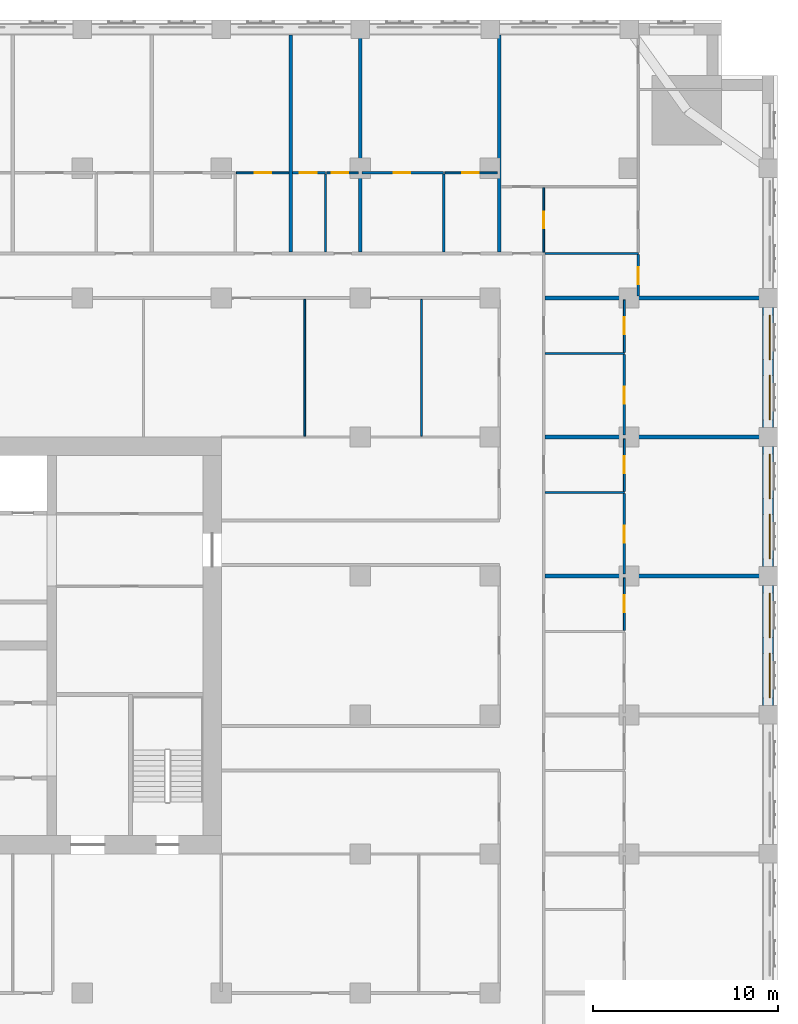
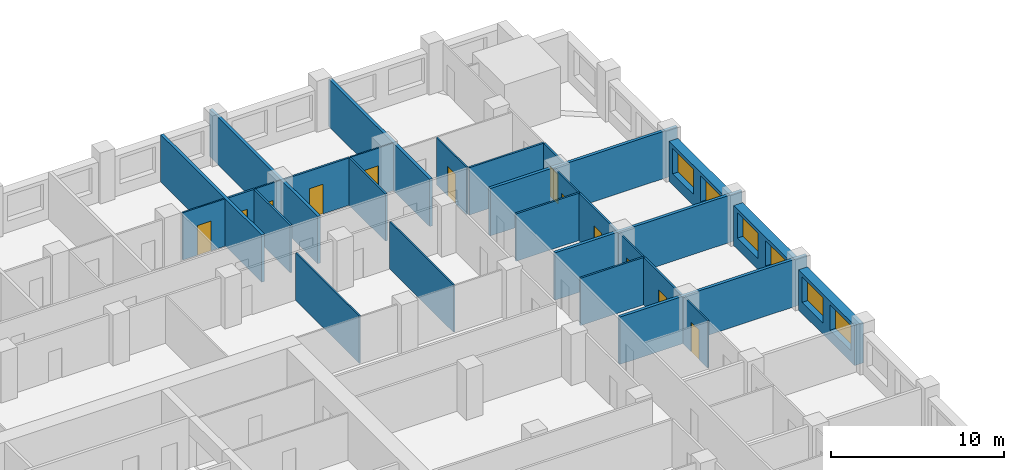
# One storey, part 10 of 14: 28 walls, 12 doors, 6 windows, 18 openings.
"""IFC4 building model written with IfcOpenShell, lengths in metres."""

import ifcopenshell
import ifcopenshell.guid

model = None  # the IFC model being written
_history = None  # IfcOwnerHistory: only IFC2X3 demands one
_inside = {}  # id of a spatial element -> (the spatial element, [elements in it])
_under = {}  # id of a project, library or spatial element -> (it, [spatial elements below it])
_declared = {}  # id of a project -> (the project, [libraries it declares])
_typed = {}  # id of a type object -> (the type object, [elements of that type])
_made_of = {}  # id of a material, layer set ... -> (it, [elements and type objects made of it])


def new_model(schema):
    """Start an empty IFC model of exactly this schema.

    Asked for "IFC4X3", IfcOpenShell would pick the latest addendum, in which some entities
    have other attributes; the version numbers below select the first issue.
    IFC2X3 requires an IfcOwnerHistory on every rooted entity: one is made here for all.
    """
    global model, _history
    if schema == "IFC4X3":
        model = ifcopenshell.file(schema_version=(4, 3, 0, 0))
    else:
        model = ifcopenshell.file(schema=schema)
    _inside.clear()
    _under.clear()
    _declared.clear()
    _typed.clear()
    _made_of.clear()
    _history = None
    if model.schema == "IFC2X3":
        org = make("IfcOrganization", Name="unknown")
        user = make(
            "IfcPersonAndOrganization",
            ThePerson=make("IfcPerson", FamilyName="unknown"),
            TheOrganization=org,
        )
        app = make(
            "IfcApplication",
            ApplicationDeveloper=org,
            Version="unknown",
            ApplicationFullName="unknown",
            ApplicationIdentifier="unknown",
        )
        _history = make(
            "IfcOwnerHistory",
            OwningUser=user,
            OwningApplication=app,
            ChangeAction="ADDED",
            CreationDate=0,
        )
    return model


def make(cls, **values):
    """One entity of the class cls with the attributes given. An attribute that is None is left unset."""
    return model.create_entity(
        cls, **{name: value for name, value in values.items() if value is not None}
    )


def rooted(cls, **values):
    """An entity with a GlobalId (a new one), such as an element, a storey or a relation."""
    return make(cls, GlobalId=ifcopenshell.guid.new(), OwnerHistory=_history, **values)


def si_unit(unit_type, name, prefix=None):
    """IfcSIUnit, for example si_unit("LENGTHUNIT", "METRE", prefix="MILLI")."""
    return make("IfcSIUnit", UnitType=unit_type, Prefix=prefix, Name=name)


def assignment(units):
    """IfcUnitAssignment: the units of a project."""
    return None if units is None else make("IfcUnitAssignment", Units=units)


def point(xyz):
    """IfcCartesianPoint."""
    return None if xyz is None else make("IfcCartesianPoint", Coordinates=xyz)


def direction(xyz):
    """IfcDirection."""
    return None if xyz is None else make("IfcDirection", DirectionRatios=xyz)


def frame(location, z_axis=None, x_axis=None):
    """IfcAxis2Placement3D, a coordinate frame: its origin and axes. An axis left out is left unset."""
    return make(
        "IfcAxis2Placement3D",
        Location=point(location),
        Axis=direction(z_axis),
        RefDirection=direction(x_axis),
    )


def frame_2d(location, x_axis=None):
    """IfcAxis2Placement2D, a coordinate frame in the plane: its origin and x axis."""
    return make(
        "IfcAxis2Placement2D", Location=point(location), RefDirection=direction(x_axis)
    )


def origin():
    """The frame at (0, 0, 0) with its axes left unset."""
    return frame((0.0, 0.0, 0.0))


def place(relative_to, where):
    """IfcLocalPlacement: puts the frame where relative to a parent placement (None: the world)."""
    return make(
        "IfcLocalPlacement", PlacementRelTo=relative_to, RelativePlacement=where
    )


def context(
    kind, dimensions, precision=None, world=None, true_north=None, identifier=None
):
    """IfcGeometricRepresentationContext, for example the 3D "Model" context."""
    return make(
        "IfcGeometricRepresentationContext",
        ContextIdentifier=identifier,
        ContextType=kind,
        CoordinateSpaceDimension=dimensions,
        Precision=precision,
        WorldCoordinateSystem=world,
        TrueNorth=true_north,
    )


def subcontext(parent, identifier, kind, view, scale=None):
    """IfcGeometricRepresentationSubContext, for example "Body" below "Model"."""
    return make(
        "IfcGeometricRepresentationSubContext",
        ContextIdentifier=identifier,
        ContextType=kind,
        ParentContext=parent,
        TargetScale=scale,
        TargetView=view,
    )


def project(units=None, contexts=None):
    """IfcProject with its units and contexts."""
    return rooted(
        "IfcProject",
        Name="project",
        RepresentationContexts=contexts,
        UnitsInContext=assignment(units),
    )


def spatial(cls, under=None, at=None, **own):
    """A site, building, storey or space (cls), placed at a placement, below another one or the project."""
    s = rooted(cls, ObjectPlacement=at, **own)
    if under is not None:
        _under.setdefault(under.id(), (under, []))[1].append(s)
    return s


def profile(cls, at=None, kind="AREA", **sizes):
    """A parametric profile (cls). Its sizes go by their IFC names, for example OverallWidth=200.0."""
    return make(cls, ProfileType=kind, Position=at, **sizes)


def rectangle(**sizes):
    """IfcRectangleProfileDef."""
    return profile("IfcRectangleProfileDef", **sizes)


def extrude(swept, where, along, depth):
    """IfcExtrudedAreaSolid: the profile swept, set in the frame where, extruded along a direction by depth."""
    return make(
        "IfcExtrudedAreaSolid",
        SweptArea=swept,
        Position=where,
        ExtrudedDirection=direction(along),
        Depth=depth,
    )


def shape(context_of_items, identifier, shape_type, items):
    """IfcShapeRepresentation: the items that make up one representation, for example the "Body"."""
    return make(
        "IfcShapeRepresentation",
        ContextOfItems=context_of_items,
        RepresentationIdentifier=identifier,
        RepresentationType=shape_type,
        Items=items,
    )


def material(Name=None, Category=None):
    """IfcMaterial."""
    return make("IfcMaterial", Name=Name, Category=Category)


def layer(
    of_material, thickness, ventilated=None, Name=None, Category=None, Priority=None
):
    """IfcMaterialLayer: one layer of a wall or slab, of a material (None: an air gap)."""
    return make(
        "IfcMaterialLayer",
        Material=of_material,
        LayerThickness=thickness,
        IsVentilated=ventilated,
        Name=Name,
        Category=Category,
        Priority=Priority,
    )


def layer_set(layers, Name=None):
    """IfcMaterialLayerSet."""
    return make("IfcMaterialLayerSet", MaterialLayers=layers, LayerSetName=Name)


def made_of(thing, what):
    """Note that an element or type object is made of a material, layer set ...; save() writes the relation."""
    if what is not None:
        _made_of.setdefault(what.id(), (what, []))[1].append(thing)
    return thing


def type_object(cls, material=None, **own):
    """A type object (cls), such as IfcWallType, which elements share."""
    return made_of(rooted(cls, **own), material)


def element(
    cls,
    number,
    at=None,
    inside=None,
    cuts=None,
    type_object=None,
    material=None,
    context=None,
    identifier="Body",
    shape_type=None,
    held_by="IfcProductDefinitionShape",
    body=None,
    shapes=None,
    **own,
):
    """One element of the class cls, such as IfcWall. Its Tag is "e" and its number.

    at: its placement. inside: the storey or other place that contains it. cuts: it is an
    opening in that element (IfcRelVoidsElement). A single representation is given by context,
    identifier, shape_type and body (its items); several are given by shapes. held_by: the class
    of the entity that holds the representations. save() writes the other relations.
    """
    e = rooted(cls, Tag="e%d" % number, ObjectPlacement=at, **own)
    if body is not None:
        shapes = [shape(context, identifier, shape_type, body)]
    if shapes is not None:
        e.Representation = make(held_by, Representations=shapes)
    if inside is not None:
        _inside.setdefault(inside.id(), (inside, []))[1].append(e)
    if cuts is not None:
        rooted(
            "IfcRelVoidsElement", RelatingBuildingElement=cuts, RelatedOpeningElement=e
        )
    if type_object is not None:
        _typed.setdefault(type_object.id(), (type_object, []))[1].append(e)
    return made_of(e, material)


def fill(opening, filler):
    """IfcRelFillsElement: the door or window that sits in an opening."""
    return rooted(
        "IfcRelFillsElement",
        RelatingOpeningElement=opening,
        RelatedBuildingElement=filler,
    )


def aggregate(whole, parts):
    """IfcRelAggregates: a whole, such as a stair, and the parts it consists of."""
    return rooted("IfcRelAggregates", RelatingObject=whole, RelatedObjects=parts)


def save(model, path):
    """Write the relations noted so far, then the file.

    IfcRelAggregates (storeys below a building ...), IfcRelContainedInSpatialStructure (elements
    in a storey), IfcRelDefinesByType, IfcRelAssociatesMaterial and IfcRelDeclares: one each for
    every whole, place, type object, material and project.
    """
    for whole, parts in _under.values():
        aggregate(whole, parts)
    for where, things in _inside.values():
        rooted(
            "IfcRelContainedInSpatialStructure",
            RelatedElements=things,
            RelatingStructure=where,
        )
    for kind, things in _typed.values():
        rooted("IfcRelDefinesByType", RelatedObjects=things, RelatingType=kind)
    for what, things in _made_of.values():
        rooted("IfcRelAssociatesMaterial", RelatedObjects=things, RelatingMaterial=what)
    for by, libraries in _declared.values():
        rooted("IfcRelDeclares", RelatingContext=by, RelatedDefinitions=libraries)
    model.write(path)


model = new_model("IFC4")

# Units and contexts
model_context = context("Model", 3, precision=1e-05, world=origin(), true_north=direction((0.0, 1.0)))
body_context = subcontext(model_context, "Body", "Model", "MODEL_VIEW")
ifc_project = project(units=[si_unit("LENGTHUNIT", "METRE"), si_unit("AREAUNIT", "SQUARE_METRE"), si_unit("VOLUMEUNIT", "CUBIC_METRE"), si_unit("PLANEANGLEUNIT", "RADIAN"), si_unit("MASSUNIT", "GRAM", prefix="KILO")], contexts=[model_context])

# Site, building, storey
site_placement = place(None, origin())
site = spatial("IfcSite", under=ifc_project, at=site_placement, CompositionType="ELEMENT")
building_placement = place(site_placement, origin())
building = spatial("IfcBuilding", under=site, at=building_placement, Name="Tamorin Gate", CompositionType="ELEMENT")
storey_placement = place(building_placement, frame((0.0, 0.0, 86.300048828125)))
storey = spatial("IfcBuildingStorey", under=building, at=storey_placement, Name="L20", CompositionType="ELEMENT", Elevation=86.300048828125)

# Wall, openings, windows
ifc_material_1 = material(Name="Precast concrete C40/50", Category="concrete")
ifc_layer_1 = layer(ifc_material_1, 0.60009765625)
ifc_layer_set_1 = layer_set([ifc_layer_1], Name="Precast concrete C40/50")
wall_type_1 = type_object("IfcWallType", Name="Board-marked concrete facade panel 600", PredefinedType="SOLIDWALL", material=ifc_layer_set_1)
wall_1_placement = place(storey_placement, frame((89.5, 68.0, 0.0), z_axis=(0.0, 0.0, 1.0), x_axis=(0.0, 1.0, 0.0)))
wall_1 = element("IfcWall", 1, at=wall_1_placement, inside=storey, type_object=wall_type_1, Name="Facade panel", PredefinedType="SOLIDWALL", context=body_context, shape_type="SweptSolid", body=[
    extrude(rectangle(XDim=6.5, YDim=0.60009765625, at=frame_2d((3.25, 0.0))), origin(), (0.0, 0.0, 1.0), 2.849853515625),
])
opening_1_placement = place(wall_1_placement, frame((0.425048828125, 0.0, 0.800048828125)))
opening_1 = element("IfcOpeningElement", 2, at=opening_1_placement, cuts=wall_1, Name="Opening WN1", PredefinedType="OPENING", context=body_context, shape_type="SweptSolid", body=[
    extrude(rectangle(XDim=2.39990234375, YDim=1.800048828125, at=frame_2d((1.199951171875, 0.89990234375))), frame((0.0, 0.31005859375, 0.0), z_axis=(0.0, -1.0, 0.0), x_axis=(1.0, 0.0, 0.0)), (0.0, 0.0, 1.0), 0.6201171875),
])
opening_2_placement = place(wall_1_placement, frame((3.675048828125, 0.0, 0.800048828125)))
opening_2 = element("IfcOpeningElement", 3, at=opening_2_placement, cuts=wall_1, Name="Opening WN1", PredefinedType="OPENING", context=body_context, shape_type="SweptSolid", body=[
    extrude(rectangle(XDim=2.39990234375, YDim=1.800048828125, at=frame_2d((1.199951171875, 0.89990234375))), frame((0.0, 0.31005859375, 0.0), z_axis=(0.0, -1.0, 0.0), x_axis=(1.0, 0.0, 0.0)), (0.0, 0.0, 1.0), 0.6201171875),
])
ifc_material_2 = material(Name="Clear glass in aluminium frame", Category="aluminium")
window_type = type_object("IfcWindowType", Name="Deep-set window 2400x1800", PartitioningType="SINGLE_PANEL", PredefinedType="WINDOW", material=ifc_material_2)
window_1_placement = place(opening_1_placement, origin())
window_1 = element("IfcWindow", 4, at=window_1_placement, inside=storey, type_object=window_type, Name="Deep-set window", OverallHeight=1.800048828125, OverallWidth=2.39990234375, PartitioningType="SINGLE_PANEL", PredefinedType="WINDOW", context=body_context, shape_type="SweptSolid", body=[
    extrude(rectangle(XDim=2.39990234375, YDim=1.800048828125, at=frame_2d((1.199951171875, 0.89990234375))), frame((0.0, -0.070068359375, 0.0), z_axis=(0.0, -1.0, 0.0), x_axis=(1.0, 0.0, 0.0)), (0.0, 0.0, 1.0), 0.06005859375),
])
fill(opening_1, window_1)
window_2_placement = place(opening_2_placement, origin())
window_2 = element("IfcWindow", 5, at=window_2_placement, inside=storey, type_object=window_type, Name="Deep-set window", OverallHeight=1.800048828125, OverallWidth=2.39990234375, PartitioningType="SINGLE_PANEL", PredefinedType="WINDOW", context=body_context, shape_type="SweptSolid", body=[
    extrude(rectangle(XDim=2.39990234375, YDim=1.800048828125, at=frame_2d((1.199951171875, 0.89990234375))), frame((0.0, -0.070068359375, 0.0), z_axis=(0.0, -1.0, 0.0), x_axis=(1.0, 0.0, 0.0)), (0.0, 0.0, 1.0), 0.06005859375),
])
fill(opening_2, window_2)

wall_2_placement = place(storey_placement, frame((89.5, 75.5, 0.0), z_axis=(0.0, 0.0, 1.0), x_axis=(0.0, 1.0, 0.0)))
wall_2 = element("IfcWall", 6, at=wall_2_placement, inside=storey, type_object=wall_type_1, Name="Facade panel", PredefinedType="SOLIDWALL", context=body_context, shape_type="SweptSolid", body=[
    extrude(rectangle(XDim=6.5, YDim=0.60009765625, at=frame_2d((3.25, 0.0))), origin(), (0.0, 0.0, 1.0), 2.849853515625),
])
opening_3_placement = place(wall_2_placement, frame((0.425048828125, 0.0, 0.800048828125)))
opening_3 = element("IfcOpeningElement", 7, at=opening_3_placement, cuts=wall_2, Name="Opening WN1", PredefinedType="OPENING", context=body_context, shape_type="SweptSolid", body=[
    extrude(rectangle(XDim=2.39990234375, YDim=1.800048828125, at=frame_2d((1.199951171875, 0.89990234375))), frame((0.0, 0.31005859375, 0.0), z_axis=(0.0, -1.0, 0.0), x_axis=(1.0, 0.0, 0.0)), (0.0, 0.0, 1.0), 0.6201171875),
])
opening_4_placement = place(wall_2_placement, frame((3.675048828125, 0.0, 0.800048828125)))
opening_4 = element("IfcOpeningElement", 8, at=opening_4_placement, cuts=wall_2, Name="Opening WN1", PredefinedType="OPENING", context=body_context, shape_type="SweptSolid", body=[
    extrude(rectangle(XDim=2.39990234375, YDim=1.800048828125, at=frame_2d((1.199951171875, 0.89990234375))), frame((0.0, 0.31005859375, 0.0), z_axis=(0.0, -1.0, 0.0), x_axis=(1.0, 0.0, 0.0)), (0.0, 0.0, 1.0), 0.6201171875),
])
window_3_placement = place(opening_3_placement, origin())
window_3 = element("IfcWindow", 9, at=window_3_placement, inside=storey, type_object=window_type, Name="Deep-set window", OverallHeight=1.800048828125, OverallWidth=2.39990234375, PartitioningType="SINGLE_PANEL", PredefinedType="WINDOW", context=body_context, shape_type="SweptSolid", body=[
    extrude(rectangle(XDim=2.39990234375, YDim=1.800048828125, at=frame_2d((1.199951171875, 0.89990234375))), frame((0.0, -0.070068359375, 0.0), z_axis=(0.0, -1.0, 0.0), x_axis=(1.0, 0.0, 0.0)), (0.0, 0.0, 1.0), 0.06005859375),
])
fill(opening_3, window_3)
window_4_placement = place(opening_4_placement, origin())
window_4 = element("IfcWindow", 10, at=window_4_placement, inside=storey, type_object=window_type, Name="Deep-set window", OverallHeight=1.800048828125, OverallWidth=2.39990234375, PartitioningType="SINGLE_PANEL", PredefinedType="WINDOW", context=body_context, shape_type="SweptSolid", body=[
    extrude(rectangle(XDim=2.39990234375, YDim=1.800048828125, at=frame_2d((1.199951171875, 0.89990234375))), frame((0.0, -0.070068359375, 0.0), z_axis=(0.0, -1.0, 0.0), x_axis=(1.0, 0.0, 0.0)), (0.0, 0.0, 1.0), 0.06005859375),
])
fill(opening_4, window_4)

wall_3_placement = place(storey_placement, frame((89.5, 83.0, 0.0), z_axis=(0.0, 0.0, 1.0), x_axis=(0.0, 1.0, 0.0)))
wall_3 = element("IfcWall", 11, at=wall_3_placement, inside=storey, type_object=wall_type_1, Name="Facade panel", PredefinedType="SOLIDWALL", context=body_context, shape_type="SweptSolid", body=[
    extrude(rectangle(XDim=6.5, YDim=0.60009765625, at=frame_2d((3.25, 0.0))), origin(), (0.0, 0.0, 1.0), 2.849853515625),
])
opening_5_placement = place(wall_3_placement, frame((0.425048828125, 0.0, 0.800048828125)))
opening_5 = element("IfcOpeningElement", 12, at=opening_5_placement, cuts=wall_3, Name="Opening WN1", PredefinedType="OPENING", context=body_context, shape_type="SweptSolid", body=[
    extrude(rectangle(XDim=2.39990234375, YDim=1.800048828125, at=frame_2d((1.199951171875, 0.89990234375))), frame((0.0, 0.31005859375, 0.0), z_axis=(0.0, -1.0, 0.0), x_axis=(1.0, 0.0, 0.0)), (0.0, 0.0, 1.0), 0.6201171875),
])
opening_6_placement = place(wall_3_placement, frame((3.675048828125, 0.0, 0.800048828125)))
opening_6 = element("IfcOpeningElement", 13, at=opening_6_placement, cuts=wall_3, Name="Opening WN1", PredefinedType="OPENING", context=body_context, shape_type="SweptSolid", body=[
    extrude(rectangle(XDim=2.39990234375, YDim=1.800048828125, at=frame_2d((1.199951171875, 0.89990234375))), frame((0.0, 0.31005859375, 0.0), z_axis=(0.0, -1.0, 0.0), x_axis=(1.0, 0.0, 0.0)), (0.0, 0.0, 1.0), 0.6201171875),
])
window_5_placement = place(opening_5_placement, origin())
window_5 = element("IfcWindow", 14, at=window_5_placement, inside=storey, type_object=window_type, Name="Deep-set window", OverallHeight=1.800048828125, OverallWidth=2.39990234375, PartitioningType="SINGLE_PANEL", PredefinedType="WINDOW", context=body_context, shape_type="SweptSolid", body=[
    extrude(rectangle(XDim=2.39990234375, YDim=1.800048828125, at=frame_2d((1.199951171875, 0.89990234375))), frame((0.0, -0.070068359375, 0.0), z_axis=(0.0, -1.0, 0.0), x_axis=(1.0, 0.0, 0.0)), (0.0, 0.0, 1.0), 0.06005859375),
])
fill(opening_5, window_5)
window_6_placement = place(opening_6_placement, origin())
window_6 = element("IfcWindow", 15, at=window_6_placement, inside=storey, type_object=window_type, Name="Deep-set window", OverallHeight=1.800048828125, OverallWidth=2.39990234375, PartitioningType="SINGLE_PANEL", PredefinedType="WINDOW", context=body_context, shape_type="SweptSolid", body=[
    extrude(rectangle(XDim=2.39990234375, YDim=1.800048828125, at=frame_2d((1.199951171875, 0.89990234375))), frame((0.0, -0.070068359375, 0.0), z_axis=(0.0, -1.0, 0.0), x_axis=(1.0, 0.0, 0.0)), (0.0, 0.0, 1.0), 0.06005859375),
])
fill(opening_6, window_6)

# Walls
ifc_material_3 = material(Name="Gypsum board partition")
ifc_layer_2 = layer(ifc_material_3, 0.199951171875)
ifc_layer_set_2 = layer_set([ifc_layer_2], Name="Demising wall 200")
wall_type_2 = type_object("IfcWallType", Name="Demising wall 200", PredefinedType="PARTITIONING", material=ifc_layer_set_2)
for number, where, z_axis, x_axis, name in (
    (16, (77.47509765625, 75.0, 0.0), (0.0, 0.0, 1.0), (1.0, 0.0, 0.0), "Demising wall 200"),
    (17, (77.47509765625, 82.5, 0.0), (0.0, 0.0, 1.0), (1.0, 0.0, 0.0), "Demising wall 200"),
    (18, (77.47509765625, 90.0, 0.0), (0.0, 0.0, 1.0), (1.0, 0.0, 0.0), "Demising wall 200"),
):
    element("IfcWall", number, at=place(storey_placement, frame(where, z_axis=z_axis, x_axis=x_axis)), inside=storey, type_object=wall_type_2, Name=name, PredefinedType="PARTITIONING", context=body_context, shape_type="SweptSolid", body=[
        extrude(rectangle(XDim=12.52490234375, YDim=0.199951171875, at=frame_2d((6.262451171875, 0.0))), origin(), (0.0, 0.0, 1.0), 3.349853515625),
    ])
wall_4_placement = place(storey_placement, frame((63.75, 92.47509765625, 0.0), z_axis=(0.0, 0.0, 1.0), x_axis=(0.0, 1.0, 0.0)))
element("IfcWall", 19, at=wall_4_placement, inside=storey, type_object=wall_type_2, Name="Demising wall 200", PredefinedType="PARTITIONING", context=body_context, shape_type="SweptSolid", body=[
    extrude(rectangle(XDim=11.71484375, YDim=0.199951171875, at=frame_2d((5.857421875, 0.0))), origin(), (0.0, 0.0, 1.0), 3.349853515625),
])
wall_5_placement = place(storey_placement, frame((67.5, 92.47509765625, 0.0), z_axis=(0.0, 0.0, 1.0), x_axis=(0.0, 1.0, 0.0)))
element("IfcWall", 20, at=wall_5_placement, inside=storey, type_object=wall_type_2, Name="Demising wall 200", PredefinedType="PARTITIONING", context=body_context, shape_type="SweptSolid", body=[
    extrude(rectangle(XDim=12.52490234375, YDim=0.199951171875, at=frame_2d((6.262451171875, 0.0))), origin(), (0.0, 0.0, 1.0), 3.349853515625),
])
wall_6_placement = place(storey_placement, frame((75.0, 92.47509765625, 0.0), z_axis=(0.0, 0.0, 1.0), x_axis=(0.0, 1.0, 0.0)))
element("IfcWall", 21, at=wall_6_placement, inside=storey, type_object=wall_type_2, Name="Demising wall 200", PredefinedType="PARTITIONING", context=body_context, shape_type="SweptSolid", body=[
    extrude(rectangle(XDim=11.71484375, YDim=0.199951171875, at=frame_2d((5.857421875, 0.0))), origin(), (0.0, 0.0, 1.0), 3.349853515625),
])

# Wall, opening, door
ifc_layer_3 = layer(ifc_material_3, 0.10009765625)
ifc_layer_set_3 = layer_set([ifc_layer_3], Name="Room partition 100")
wall_type_3 = type_object("IfcWallType", Name="Room partition 100", PredefinedType="PARTITIONING", material=ifc_layer_set_3)
wall_7_placement = place(storey_placement, frame((60.8125, 96.75, 0.0), z_axis=(0.0, 0.0, 1.0), x_axis=(1.0, 0.0, 0.0)))
wall_7 = element("IfcWall", 22, at=wall_7_placement, inside=storey, type_object=wall_type_3, Name="Room partition 100", PredefinedType="PARTITIONING", context=body_context, shape_type="SweptSolid", body=[
    extrude(rectangle(XDim=2.83740234375, YDim=0.10009765625, at=frame_2d((1.418701171875, 0.0))), origin(), (0.0, 0.0, 1.0), 3.349853515625),
])
opening_7_placement = place(wall_7_placement, frame((0.987548828125, 0.0, 0.0)))
opening_7 = element("IfcOpeningElement", 23, at=opening_7_placement, cuts=wall_7, Name="Opening DH7032", PredefinedType="OPENING", context=body_context, shape_type="SweptSolid", body=[
    extrude(rectangle(XDim=0.89990234375, YDim=2.10009765625, at=frame_2d((0.449951171875, 1.050048828125))), frame((0.0, 0.06005859375, 0.0), z_axis=(0.0, -1.0, 0.0), x_axis=(1.0, 0.0, 0.0)), (0.0, 0.0, 1.0), 0.1201171875),
])
ifc_material_4 = material(Name="Timber door leaf", Category="wood")
door_type = type_object("IfcDoorType", Name="Door 900 x 2100", OperationType="NOTDEFINED", PredefinedType="DOOR", material=ifc_material_4)
door_1_placement = place(opening_7_placement, origin())
door_1 = element("IfcDoor", 24, at=door_1_placement, inside=storey, type_object=door_type, Name="Door DH7032", OperationType="SINGLE_SWING_RIGHT", OverallHeight=2.10009765625, OverallWidth=0.89990234375, PredefinedType="DOOR", context=body_context, shape_type="SweptSolid", body=[
    extrude(rectangle(XDim=0.89990234375, YDim=2.10009765625, at=frame_2d((0.449951171875, 1.050048828125))), frame((0.0, 0.02490234375, 0.0), z_axis=(0.0, -1.0, 0.0), x_axis=(1.0, 0.0, 0.0)), (0.0, 0.0, 1.0), 0.050048828125),
])
fill(opening_7, door_1)

wall_8_placement = place(storey_placement, frame((65.6875, 96.75, 0.0), z_axis=(0.0, 0.0, 1.0), x_axis=(1.0, 0.0, 0.0)))
wall_8 = element("IfcWall", 25, at=wall_8_placement, inside=storey, type_object=wall_type_3, Name="Room partition 100", PredefinedType="PARTITIONING", context=body_context, shape_type="SweptSolid", body=[
    extrude(rectangle(XDim=1.71240234375, YDim=0.10009765625, at=frame_2d((0.856201171875, 0.0))), origin(), (0.0, 0.0, 1.0), 3.349853515625),
])
opening_8_placement = place(wall_8_placement, frame((0.27490234375, 0.0, 0.0)))
opening_8 = element("IfcOpeningElement", 26, at=opening_8_placement, cuts=wall_8, Name="Opening DH7035", PredefinedType="OPENING", context=body_context, shape_type="SweptSolid", body=[
    extrude(rectangle(XDim=0.89990234375, YDim=2.10009765625, at=frame_2d((0.449951171875, 1.050048828125))), frame((0.0, 0.06005859375, 0.0), z_axis=(0.0, -1.0, 0.0), x_axis=(1.0, 0.0, 0.0)), (0.0, 0.0, 1.0), 0.1201171875),
])
door_2_placement = place(opening_8_placement, origin())
door_2 = element("IfcDoor", 27, at=door_2_placement, inside=storey, type_object=door_type, Name="Door DH7035", OperationType="SINGLE_SWING_RIGHT", OverallHeight=2.10009765625, OverallWidth=0.89990234375, PredefinedType="DOOR", context=body_context, shape_type="SweptSolid", body=[
    extrude(rectangle(XDim=0.89990234375, YDim=2.10009765625, at=frame_2d((0.449951171875, 1.050048828125))), frame((0.0, 0.02490234375, 0.0), z_axis=(0.0, -1.0, 0.0), x_axis=(1.0, 0.0, 0.0)), (0.0, 0.0, 1.0), 0.050048828125),
])
fill(opening_8, door_2)

wall_9_placement = place(storey_placement, frame((72.0625, 96.75, 0.0), z_axis=(0.0, 0.0, 1.0), x_axis=(1.0, 0.0, 0.0)))
wall_9 = element("IfcWall", 28, at=wall_9_placement, inside=storey, type_object=wall_type_3, Name="Room partition 100", PredefinedType="PARTITIONING", context=body_context, shape_type="SweptSolid", body=[
    extrude(rectangle(XDim=2.83740234375, YDim=0.10009765625, at=frame_2d((1.418701171875, 0.0))), origin(), (0.0, 0.0, 1.0), 3.349853515625),
])
opening_9_placement = place(wall_9_placement, frame((0.9375, 0.0, 0.0)))
opening_9 = element("IfcOpeningElement", 29, at=opening_9_placement, cuts=wall_9, Name="Opening DH7038", PredefinedType="OPENING", context=body_context, shape_type="SweptSolid", body=[
    extrude(rectangle(XDim=0.89990234375, YDim=2.10009765625, at=frame_2d((0.449951171875, 1.050048828125))), frame((0.0, 0.06005859375, 0.0), z_axis=(0.0, -1.0, 0.0), x_axis=(1.0, 0.0, 0.0)), (0.0, 0.0, 1.0), 0.1201171875),
])
door_3_placement = place(opening_9_placement, origin())
door_3 = element("IfcDoor", 30, at=door_3_placement, inside=storey, type_object=door_type, Name="Door DH7038", OperationType="SINGLE_SWING_RIGHT", OverallHeight=2.10009765625, OverallWidth=0.89990234375, PredefinedType="DOOR", context=body_context, shape_type="SweptSolid", body=[
    extrude(rectangle(XDim=0.89990234375, YDim=2.10009765625, at=frame_2d((0.449951171875, 1.050048828125))), frame((0.0, 0.02490234375, 0.0), z_axis=(0.0, -1.0, 0.0), x_axis=(1.0, 0.0, 0.0)), (0.0, 0.0, 1.0), 0.050048828125),
])
fill(opening_9, door_3)

# Walls
for number, where, z_axis, x_axis, name in (
    (31, (64.5, 82.550048828125, 0.0), (0.0, 0.0, 1.0), (0.0, 1.0, 0.0), "Room partition 100"),
    (32, (70.800048828125, 82.550048828125, 0.0), (0.0, 0.0, 1.0), (0.0, 1.0, 0.0), "Room partition 100"),
):
    element("IfcWall", number, at=place(storey_placement, frame(where, z_axis=z_axis, x_axis=x_axis)), inside=storey, type_object=wall_type_3, Name=name, PredefinedType="PARTITIONING", context=body_context, shape_type="SweptSolid", body=[
        extrude(rectangle(XDim=7.375, YDim=0.10009765625, at=frame_2d((3.6875, 0.0))), origin(), (0.0, 0.0, 1.0), 3.349853515625),
    ])

# Wall, opening, door
wall_10_placement = place(storey_placement, frame((77.39990234375, 92.47509765625, 0.0), z_axis=(0.0, 0.0, 1.0), x_axis=(0.0, 1.0, 0.0)))
wall_10 = element("IfcWall", 33, at=wall_10_placement, inside=storey, type_object=wall_type_3, Name="Room partition 100", PredefinedType="PARTITIONING", context=body_context, shape_type="SweptSolid", body=[
    extrude(rectangle(XDim=3.474853515625, YDim=0.10009765625, at=frame_2d((1.7373046875, 0.0))), origin(), (0.0, 0.0, 1.0), 3.349853515625),
])
opening_10_placement = place(wall_10_placement, frame((1.27490234375, 0.0, 0.0)))
opening_10 = element("IfcOpeningElement", 34, at=opening_10_placement, cuts=wall_10, Name="Opening DH7062", PredefinedType="OPENING", context=body_context, shape_type="SweptSolid", body=[
    extrude(rectangle(XDim=0.89990234375, YDim=2.10009765625, at=frame_2d((0.449951171875, 1.050048828125))), frame((0.0, 0.06005859375, 0.0), z_axis=(0.0, -1.0, 0.0), x_axis=(1.0, 0.0, 0.0)), (0.0, 0.0, 1.0), 0.1201171875),
])
door_4_placement = place(opening_10_placement, origin())
door_4 = element("IfcDoor", 35, at=door_4_placement, inside=storey, type_object=door_type, Name="Door DH7062", OperationType="SINGLE_SWING_RIGHT", OverallHeight=2.10009765625, OverallWidth=0.89990234375, PredefinedType="DOOR", context=body_context, shape_type="SweptSolid", body=[
    extrude(rectangle(XDim=0.89990234375, YDim=2.10009765625, at=frame_2d((0.449951171875, 1.050048828125))), frame((0.0, 0.02490234375, 0.0), z_axis=(0.0, -1.0, 0.0), x_axis=(1.0, 0.0, 0.0)), (0.0, 0.0, 1.0), 0.050048828125),
])
fill(opening_10, door_4)

wall_11_placement = place(storey_placement, frame((81.75, 72.0625, 0.0), z_axis=(0.0, 0.0, 1.0), x_axis=(0.0, 1.0, 0.0)))
wall_11 = element("IfcWall", 36, at=wall_11_placement, inside=storey, type_object=wall_type_3, Name="Room partition 100", PredefinedType="PARTITIONING", context=body_context, shape_type="SweptSolid", body=[
    extrude(rectangle(XDim=2.83740234375, YDim=0.10009765625, at=frame_2d((1.418701171875, 0.0))), origin(), (0.0, 0.0, 1.0), 3.349853515625),
])
opening_11_placement = place(wall_11_placement, frame((0.987548828125, 0.0, 0.0)))
opening_11 = element("IfcOpeningElement", 37, at=opening_11_placement, cuts=wall_11, Name="Opening DH7047", PredefinedType="OPENING", context=body_context, shape_type="SweptSolid", body=[
    extrude(rectangle(XDim=0.89990234375, YDim=2.10009765625, at=frame_2d((0.449951171875, 1.050048828125))), frame((0.0, 0.06005859375, 0.0), z_axis=(0.0, -1.0, 0.0), x_axis=(1.0, 0.0, 0.0)), (0.0, 0.0, 1.0), 0.1201171875),
])
door_5_placement = place(opening_11_placement, origin())
door_5 = element("IfcDoor", 38, at=door_5_placement, inside=storey, type_object=door_type, Name="Door DH7047", OperationType="SINGLE_SWING_LEFT", OverallHeight=2.10009765625, OverallWidth=0.89990234375, PredefinedType="DOOR", context=body_context, shape_type="SweptSolid", body=[
    extrude(rectangle(XDim=0.89990234375, YDim=2.10009765625, at=frame_2d((0.449951171875, 1.050048828125))), frame((0.0, 0.02490234375, 0.0), z_axis=(0.0, -1.0, 0.0), x_axis=(1.0, 0.0, 0.0)), (0.0, 0.0, 1.0), 0.050048828125),
])
fill(opening_11, door_5)

wall_12_placement = place(storey_placement, frame((81.75, 79.5625, 0.0), z_axis=(0.0, 0.0, 1.0), x_axis=(0.0, 1.0, 0.0)))
wall_12 = element("IfcWall", 39, at=wall_12_placement, inside=storey, type_object=wall_type_3, Name="Room partition 100", PredefinedType="PARTITIONING", context=body_context, shape_type="SweptSolid", body=[
    extrude(rectangle(XDim=2.83740234375, YDim=0.10009765625, at=frame_2d((1.418701171875, 0.0))), origin(), (0.0, 0.0, 1.0), 3.349853515625),
])
opening_12_placement = place(wall_12_placement, frame((0.987548828125, 0.0, 0.0)))
opening_12 = element("IfcOpeningElement", 40, at=opening_12_placement, cuts=wall_12, Name="Opening DH7050", PredefinedType="OPENING", context=body_context, shape_type="SweptSolid", body=[
    extrude(rectangle(XDim=0.89990234375, YDim=2.10009765625, at=frame_2d((0.449951171875, 1.050048828125))), frame((0.0, 0.06005859375, 0.0), z_axis=(0.0, -1.0, 0.0), x_axis=(1.0, 0.0, 0.0)), (0.0, 0.0, 1.0), 0.1201171875),
])
door_6_placement = place(opening_12_placement, origin())
door_6 = element("IfcDoor", 41, at=door_6_placement, inside=storey, type_object=door_type, Name="Door DH7050", OperationType="SINGLE_SWING_LEFT", OverallHeight=2.10009765625, OverallWidth=0.89990234375, PredefinedType="DOOR", context=body_context, shape_type="SweptSolid", body=[
    extrude(rectangle(XDim=0.89990234375, YDim=2.10009765625, at=frame_2d((0.449951171875, 1.050048828125))), frame((0.0, 0.02490234375, 0.0), z_axis=(0.0, -1.0, 0.0), x_axis=(1.0, 0.0, 0.0)), (0.0, 0.0, 1.0), 0.050048828125),
])
fill(opening_12, door_6)

wall_13_placement = place(storey_placement, frame((81.75, 87.0625, 0.0), z_axis=(0.0, 0.0, 1.0), x_axis=(0.0, 1.0, 0.0)))
wall_13 = element("IfcWall", 42, at=wall_13_placement, inside=storey, type_object=wall_type_3, Name="Room partition 100", PredefinedType="PARTITIONING", context=body_context, shape_type="SweptSolid", body=[
    extrude(rectangle(XDim=2.83740234375, YDim=0.10009765625, at=frame_2d((1.418701171875, 0.0))), origin(), (0.0, 0.0, 1.0), 3.349853515625),
])
opening_13_placement = place(wall_13_placement, frame((0.987548828125, 0.0, 0.0)))
opening_13 = element("IfcOpeningElement", 43, at=opening_13_placement, cuts=wall_13, Name="Opening DH7053", PredefinedType="OPENING", context=body_context, shape_type="SweptSolid", body=[
    extrude(rectangle(XDim=0.89990234375, YDim=2.10009765625, at=frame_2d((0.449951171875, 1.050048828125))), frame((0.0, 0.06005859375, 0.0), z_axis=(0.0, -1.0, 0.0), x_axis=(1.0, 0.0, 0.0)), (0.0, 0.0, 1.0), 0.1201171875),
])
door_7_placement = place(opening_13_placement, origin())
door_7 = element("IfcDoor", 44, at=door_7_placement, inside=storey, type_object=door_type, Name="Door DH7053", OperationType="SINGLE_SWING_LEFT", OverallHeight=2.10009765625, OverallWidth=0.89990234375, PredefinedType="DOOR", context=body_context, shape_type="SweptSolid", body=[
    extrude(rectangle(XDim=0.89990234375, YDim=2.10009765625, at=frame_2d((0.449951171875, 1.050048828125))), frame((0.0, 0.02490234375, 0.0), z_axis=(0.0, -1.0, 0.0), x_axis=(1.0, 0.0, 0.0)), (0.0, 0.0, 1.0), 0.050048828125),
])
fill(opening_13, door_7)

# Walls
ifc_layer_4 = layer(ifc_material_3, 0.125)
ifc_layer_set_4 = layer_set([ifc_layer_4], Name="Wet wall 125")
wall_type_4 = type_object("IfcWallType", Name="Wet wall 125", PredefinedType="PARTITIONING", material=ifc_layer_set_4)
for number, where, z_axis, x_axis, name in (
    (45, (77.47509765625, 79.5, 0.0), (0.0, 0.0, 1.0), (1.0, 0.0, 0.0), "Wet wall 125"),
    (46, (77.47509765625, 87.0, 0.0), (0.0, 0.0, 1.0), (1.0, 0.0, 0.0), "Wet wall 125"),
):
    element("IfcWall", number, at=place(storey_placement, frame(where, z_axis=z_axis, x_axis=x_axis)), inside=storey, type_object=wall_type_4, Name=name, PredefinedType="PARTITIONING", context=body_context, shape_type="SweptSolid", body=[
        extrude(rectangle(XDim=4.27490234375, YDim=0.125, at=frame_2d((2.137451171875, 0.0))), origin(), (0.0, 0.0, 1.0), 3.349853515625),
    ])
wall_14_placement = place(storey_placement, frame((77.47509765625, 92.39990234375, 0.0), z_axis=(0.0, 0.0, 1.0), x_axis=(1.0, 0.0, 0.0)))
element("IfcWall", 47, at=wall_14_placement, inside=storey, type_object=wall_type_4, Name="Wet wall 125", PredefinedType="PARTITIONING", context=body_context, shape_type="SweptSolid", body=[
    extrude(rectangle(XDim=5.02490234375, YDim=0.125, at=frame_2d((2.512451171875, 0.0))), origin(), (0.0, 0.0, 1.0), 3.349853515625),
])

# Wall, opening, door
wall_15_placement = place(storey_placement, frame((63.85009765625, 96.75, 0.0), z_axis=(0.0, 0.0, 1.0), x_axis=(1.0, 0.0, 0.0)))
wall_15 = element("IfcWall", 48, at=wall_15_placement, inside=storey, type_object=wall_type_4, Name="Wet wall 125", PredefinedType="PARTITIONING", context=body_context, shape_type="SweptSolid", body=[
    extrude(rectangle(XDim=1.77490234375, YDim=0.125, at=frame_2d((0.887451171875, 0.0))), origin(), (0.0, 0.0, 1.0), 3.349853515625),
])
opening_14_placement = place(wall_15_placement, frame((0.387451171875, 0.0, 0.0)))
opening_14 = element("IfcOpeningElement", 49, at=opening_14_placement, cuts=wall_15, Name="Opening DH7033", PredefinedType="OPENING", context=body_context, shape_type="SweptSolid", body=[
    extrude(rectangle(XDim=0.89990234375, YDim=2.10009765625, at=frame_2d((0.449951171875, 1.050048828125))), frame((0.0, 0.072509765625, 0.0), z_axis=(0.0, -1.0, 0.0), x_axis=(1.0, 0.0, 0.0)), (0.0, 0.0, 1.0), 0.14501953125),
])
door_8_placement = place(opening_14_placement, origin())
door_8 = element("IfcDoor", 50, at=door_8_placement, inside=storey, type_object=door_type, Name="Door DH7033", OperationType="SINGLE_SWING_RIGHT", OverallHeight=2.10009765625, OverallWidth=0.89990234375, PredefinedType="DOOR", context=body_context, shape_type="SweptSolid", body=[
    extrude(rectangle(XDim=0.89990234375, YDim=2.10009765625, at=frame_2d((0.449951171875, 1.050048828125))), frame((0.0, 0.02490234375, 0.0), z_axis=(0.0, -1.0, 0.0), x_axis=(1.0, 0.0, 0.0)), (0.0, 0.0, 1.0), 0.050048828125),
])
fill(opening_14, door_8)

wall_16_placement = place(storey_placement, frame((67.60009765625, 96.75, 0.0), z_axis=(0.0, 0.0, 1.0), x_axis=(1.0, 0.0, 0.0)))
wall_16 = element("IfcWall", 51, at=wall_16_placement, inside=storey, type_object=wall_type_4, Name="Wet wall 125", PredefinedType="PARTITIONING", context=body_context, shape_type="SweptSolid", body=[
    extrude(rectangle(XDim=4.39990234375, YDim=0.125, at=frame_2d((2.199951171875, 0.0))), origin(), (0.0, 0.0, 1.0), 3.349853515625),
])
opening_15_placement = place(wall_16_placement, frame((1.699951171875, 0.0, 0.0)))
opening_15 = element("IfcOpeningElement", 52, at=opening_15_placement, cuts=wall_16, Name="Opening DH7036", PredefinedType="OPENING", context=body_context, shape_type="SweptSolid", body=[
    extrude(rectangle(XDim=0.89990234375, YDim=2.10009765625, at=frame_2d((0.449951171875, 1.050048828125))), frame((0.0, 0.072509765625, 0.0), z_axis=(0.0, -1.0, 0.0), x_axis=(1.0, 0.0, 0.0)), (0.0, 0.0, 1.0), 0.14501953125),
])
door_9_placement = place(opening_15_placement, origin())
door_9 = element("IfcDoor", 53, at=door_9_placement, inside=storey, type_object=door_type, Name="Door DH7036", OperationType="SINGLE_SWING_RIGHT", OverallHeight=2.10009765625, OverallWidth=0.89990234375, PredefinedType="DOOR", context=body_context, shape_type="SweptSolid", body=[
    extrude(rectangle(XDim=0.89990234375, YDim=2.10009765625, at=frame_2d((0.449951171875, 1.050048828125))), frame((0.0, 0.02490234375, 0.0), z_axis=(0.0, -1.0, 0.0), x_axis=(1.0, 0.0, 0.0)), (0.0, 0.0, 1.0), 0.050048828125),
])
fill(opening_15, door_9)

# Walls
for number, where, z_axis, x_axis, name in (
    (54, (65.625, 92.47509765625, 0.0), (0.0, 0.0, 1.0), (0.0, 1.0, 0.0), "Wet wall 125"),
    (55, (72.0, 92.47509765625, 0.0), (0.0, 0.0, 1.0), (0.0, 1.0, 0.0), "Wet wall 125"),
):
    element("IfcWall", number, at=place(storey_placement, frame(where, z_axis=z_axis, x_axis=x_axis)), inside=storey, type_object=wall_type_4, Name=name, PredefinedType="PARTITIONING", context=body_context, shape_type="SweptSolid", body=[
        extrude(rectangle(XDim=4.21240234375, YDim=0.125, at=frame_2d((2.106201171875, 0.0))), origin(), (0.0, 0.0, 1.0), 3.349853515625),
    ])

# Wall, opening, door
wall_17_placement = place(storey_placement, frame((81.75, 75.10009765625, 0.0), z_axis=(0.0, 0.0, 1.0), x_axis=(0.0, 1.0, 0.0)))
wall_17 = element("IfcWall", 56, at=wall_17_placement, inside=storey, type_object=wall_type_4, Name="Wet wall 125", PredefinedType="PARTITIONING", context=body_context, shape_type="SweptSolid", body=[
    extrude(rectangle(XDim=4.33740234375, YDim=0.125, at=frame_2d((2.168701171875, 0.0))), origin(), (0.0, 0.0, 1.0), 3.349853515625),
])
opening_16_placement = place(wall_17_placement, frame((1.699951171875, 0.0, 0.0)))
opening_16 = element("IfcOpeningElement", 57, at=opening_16_placement, cuts=wall_17, Name="Opening DH7048", PredefinedType="OPENING", context=body_context, shape_type="SweptSolid", body=[
    extrude(rectangle(XDim=0.89990234375, YDim=2.10009765625, at=frame_2d((0.449951171875, 1.050048828125))), frame((0.0, 0.072509765625, 0.0), z_axis=(0.0, -1.0, 0.0), x_axis=(1.0, 0.0, 0.0)), (0.0, 0.0, 1.0), 0.14501953125),
])
door_10_placement = place(opening_16_placement, origin())
door_10 = element("IfcDoor", 58, at=door_10_placement, inside=storey, type_object=door_type, Name="Door DH7048", OperationType="SINGLE_SWING_LEFT", OverallHeight=2.10009765625, OverallWidth=0.89990234375, PredefinedType="DOOR", context=body_context, shape_type="SweptSolid", body=[
    extrude(rectangle(XDim=0.89990234375, YDim=2.10009765625, at=frame_2d((0.449951171875, 1.050048828125))), frame((0.0, 0.02490234375, 0.0), z_axis=(0.0, -1.0, 0.0), x_axis=(1.0, 0.0, 0.0)), (0.0, 0.0, 1.0), 0.050048828125),
])
fill(opening_16, door_10)

wall_18_placement = place(storey_placement, frame((81.75, 82.60009765625, 0.0), z_axis=(0.0, 0.0, 1.0), x_axis=(0.0, 1.0, 0.0)))
wall_18 = element("IfcWall", 59, at=wall_18_placement, inside=storey, type_object=wall_type_4, Name="Wet wall 125", PredefinedType="PARTITIONING", context=body_context, shape_type="SweptSolid", body=[
    extrude(rectangle(XDim=4.33740234375, YDim=0.125, at=frame_2d((2.168701171875, 0.0))), origin(), (0.0, 0.0, 1.0), 3.349853515625),
])
opening_17_placement = place(wall_18_placement, frame((1.699951171875, 0.0, 0.0)))
opening_17 = element("IfcOpeningElement", 60, at=opening_17_placement, cuts=wall_18, Name="Opening DH7051", PredefinedType="OPENING", context=body_context, shape_type="SweptSolid", body=[
    extrude(rectangle(XDim=0.89990234375, YDim=2.10009765625, at=frame_2d((0.449951171875, 1.050048828125))), frame((0.0, 0.072509765625, 0.0), z_axis=(0.0, -1.0, 0.0), x_axis=(1.0, 0.0, 0.0)), (0.0, 0.0, 1.0), 0.14501953125),
])
door_11_placement = place(opening_17_placement, origin())
door_11 = element("IfcDoor", 61, at=door_11_placement, inside=storey, type_object=door_type, Name="Door DH7051", OperationType="SINGLE_SWING_LEFT", OverallHeight=2.10009765625, OverallWidth=0.89990234375, PredefinedType="DOOR", context=body_context, shape_type="SweptSolid", body=[
    extrude(rectangle(XDim=0.89990234375, YDim=2.10009765625, at=frame_2d((0.449951171875, 1.050048828125))), frame((0.0, 0.02490234375, 0.0), z_axis=(0.0, -1.0, 0.0), x_axis=(1.0, 0.0, 0.0)), (0.0, 0.0, 1.0), 0.050048828125),
])
fill(opening_17, door_11)

wall_19_placement = place(storey_placement, frame((82.5, 90.10009765625, 0.0), z_axis=(0.0, 0.0, 1.0), x_axis=(0.0, 1.0, 0.0)))
wall_19 = element("IfcWall", 62, at=wall_19_placement, inside=storey, type_object=wall_type_4, Name="Wet wall 125", PredefinedType="PARTITIONING", context=body_context, shape_type="SweptSolid", body=[
    extrude(rectangle(XDim=2.2373046875, YDim=0.125, at=frame_2d((1.11865234375, 0.0))), origin(), (0.0, 0.0, 1.0), 3.349853515625),
])
opening_18_placement = place(wall_19_placement, frame((0.64990234375, 0.0, 0.0)))
opening_18 = element("IfcOpeningElement", 63, at=opening_18_placement, cuts=wall_19, Name="Opening DH7065", PredefinedType="OPENING", context=body_context, shape_type="SweptSolid", body=[
    extrude(rectangle(XDim=0.89990234375, YDim=2.10009765625, at=frame_2d((0.449951171875, 1.050048828125))), frame((0.0, 0.072509765625, 0.0), z_axis=(0.0, -1.0, 0.0), x_axis=(1.0, 0.0, 0.0)), (0.0, 0.0, 1.0), 0.14501953125),
])
door_12_placement = place(opening_18_placement, origin())
door_12 = element("IfcDoor", 64, at=door_12_placement, inside=storey, type_object=door_type, Name="Door DH7065", OperationType="SINGLE_SWING_LEFT", OverallHeight=2.10009765625, OverallWidth=0.89990234375, PredefinedType="DOOR", context=body_context, shape_type="SweptSolid", body=[
    extrude(rectangle(XDim=0.89990234375, YDim=2.10009765625, at=frame_2d((0.449951171875, 1.050048828125))), frame((0.0, 0.02490234375, 0.0), z_axis=(0.0, -1.0, 0.0), x_axis=(1.0, 0.0, 0.0)), (0.0, 0.0, 1.0), 0.050048828125),
])
fill(opening_18, door_12)

save(model, "model.ifc")
